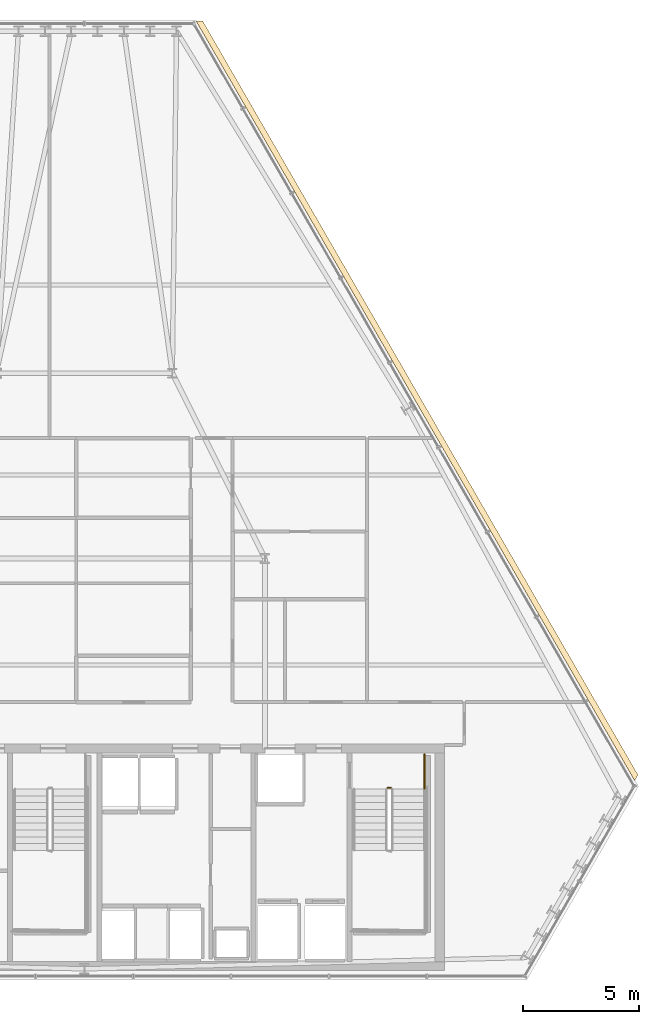
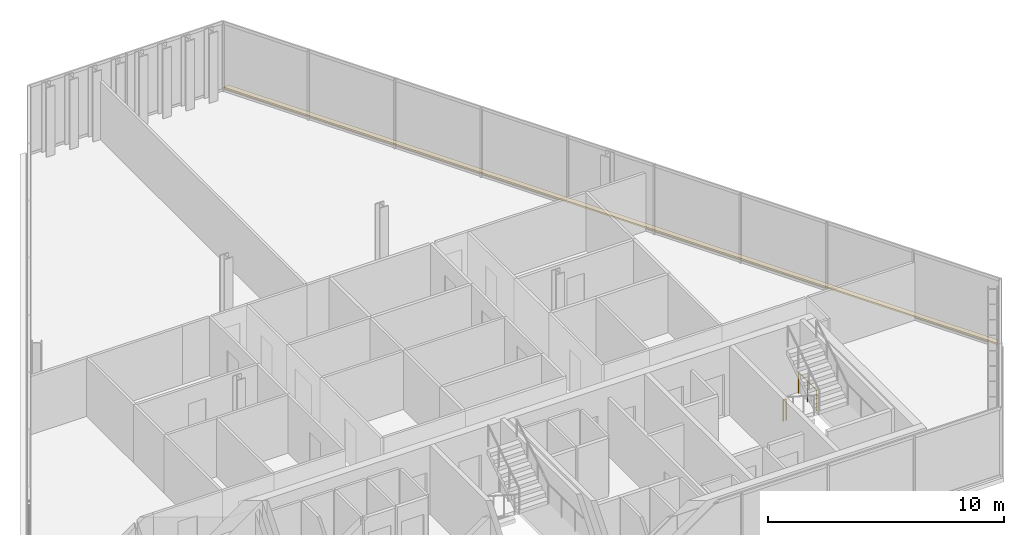
# One storey, part 33 of 33: 2 railings, 1 covering.
"""IFC4 building model written with IfcOpenShell, lengths in metres."""

import ifcopenshell
import ifcopenshell.guid

model = None  # the IFC model being written
_history = None  # IfcOwnerHistory: only IFC2X3 demands one
_inside = {}  # id of a spatial element -> (the spatial element, [elements in it])
_under = {}  # id of a project, library or spatial element -> (it, [spatial elements below it])
_declared = {}  # id of a project -> (the project, [libraries it declares])
_typed = {}  # id of a type object -> (the type object, [elements of that type])
_made_of = {}  # id of a material, layer set ... -> (it, [elements and type objects made of it])


def new_model(schema):
    """Start an empty IFC model of exactly this schema.

    Asked for "IFC4X3", IfcOpenShell would pick the latest addendum, in which some entities
    have other attributes; the version numbers below select the first issue.
    IFC2X3 requires an IfcOwnerHistory on every rooted entity: one is made here for all.
    """
    global model, _history
    if schema == "IFC4X3":
        model = ifcopenshell.file(schema_version=(4, 3, 0, 0))
    else:
        model = ifcopenshell.file(schema=schema)
    _inside.clear()
    _under.clear()
    _declared.clear()
    _typed.clear()
    _made_of.clear()
    _history = None
    if model.schema == "IFC2X3":
        org = make("IfcOrganization", Name="unknown")
        user = make(
            "IfcPersonAndOrganization",
            ThePerson=make("IfcPerson", FamilyName="unknown"),
            TheOrganization=org,
        )
        app = make(
            "IfcApplication",
            ApplicationDeveloper=org,
            Version="unknown",
            ApplicationFullName="unknown",
            ApplicationIdentifier="unknown",
        )
        _history = make(
            "IfcOwnerHistory",
            OwningUser=user,
            OwningApplication=app,
            ChangeAction="ADDED",
            CreationDate=0,
        )
    return model


def make(cls, **values):
    """One entity of the class cls with the attributes given. An attribute that is None is left unset."""
    return model.create_entity(
        cls, **{name: value for name, value in values.items() if value is not None}
    )


def rooted(cls, **values):
    """An entity with a GlobalId (a new one), such as an element, a storey or a relation."""
    return make(cls, GlobalId=ifcopenshell.guid.new(), OwnerHistory=_history, **values)


def si_unit(unit_type, name, prefix=None):
    """IfcSIUnit, for example si_unit("LENGTHUNIT", "METRE", prefix="MILLI")."""
    return make("IfcSIUnit", UnitType=unit_type, Prefix=prefix, Name=name)


def assignment(units):
    """IfcUnitAssignment: the units of a project."""
    return None if units is None else make("IfcUnitAssignment", Units=units)


def point(xyz):
    """IfcCartesianPoint."""
    return None if xyz is None else make("IfcCartesianPoint", Coordinates=xyz)


def direction(xyz):
    """IfcDirection."""
    return None if xyz is None else make("IfcDirection", DirectionRatios=xyz)


def frame(location, z_axis=None, x_axis=None):
    """IfcAxis2Placement3D, a coordinate frame: its origin and axes. An axis left out is left unset."""
    return make(
        "IfcAxis2Placement3D",
        Location=point(location),
        Axis=direction(z_axis),
        RefDirection=direction(x_axis),
    )


def frame_2d(location, x_axis=None):
    """IfcAxis2Placement2D, a coordinate frame in the plane: its origin and x axis."""
    return make(
        "IfcAxis2Placement2D", Location=point(location), RefDirection=direction(x_axis)
    )


def origin():
    """The frame at (0, 0, 0) with its axes left unset."""
    return frame((0.0, 0.0, 0.0))


def origin_2d():
    """The frame at (0, 0) in the plane with its x axis left unset."""
    return frame_2d((0.0, 0.0))


def place(relative_to, where):
    """IfcLocalPlacement: puts the frame where relative to a parent placement (None: the world)."""
    return make(
        "IfcLocalPlacement", PlacementRelTo=relative_to, RelativePlacement=where
    )


def context(
    kind, dimensions, precision=None, world=None, true_north=None, identifier=None
):
    """IfcGeometricRepresentationContext, for example the 3D "Model" context."""
    return make(
        "IfcGeometricRepresentationContext",
        ContextIdentifier=identifier,
        ContextType=kind,
        CoordinateSpaceDimension=dimensions,
        Precision=precision,
        WorldCoordinateSystem=world,
        TrueNorth=true_north,
    )


def subcontext(parent, identifier, kind, view, scale=None):
    """IfcGeometricRepresentationSubContext, for example "Body" below "Model"."""
    return make(
        "IfcGeometricRepresentationSubContext",
        ContextIdentifier=identifier,
        ContextType=kind,
        ParentContext=parent,
        TargetScale=scale,
        TargetView=view,
    )


def project(units=None, contexts=None):
    """IfcProject with its units and contexts."""
    return rooted(
        "IfcProject",
        Name="project",
        RepresentationContexts=contexts,
        UnitsInContext=assignment(units),
    )


def spatial(cls, under=None, at=None, **own):
    """A site, building, storey or space (cls), placed at a placement, below another one or the project."""
    s = rooted(cls, ObjectPlacement=at, **own)
    if under is not None:
        _under.setdefault(under.id(), (under, []))[1].append(s)
    return s


def polyline(points):
    """IfcPolyline through the points."""
    return make("IfcPolyline", Points=[point(p) for p in points])


def profile(cls, at=None, kind="AREA", **sizes):
    """A parametric profile (cls). Its sizes go by their IFC names, for example OverallWidth=200.0."""
    return make(cls, ProfileType=kind, Position=at, **sizes)


def circle(**sizes):
    """IfcCircleProfileDef."""
    return profile("IfcCircleProfileDef", **sizes)


def outline(outer, holes=None, kind="AREA"):
    """IfcArbitraryClosedProfileDef: a profile drawn as a closed curve; with holes, ...WithVoids."""
    if holes is None:
        return make("IfcArbitraryClosedProfileDef", ProfileType=kind, OuterCurve=outer)
    return make(
        "IfcArbitraryProfileDefWithVoids",
        ProfileType=kind,
        OuterCurve=outer,
        InnerCurves=holes,
    )


def extrude(swept, where, along, depth):
    """IfcExtrudedAreaSolid: the profile swept, set in the frame where, extruded along a direction by depth."""
    return make(
        "IfcExtrudedAreaSolid",
        SweptArea=swept,
        Position=where,
        ExtrudedDirection=direction(along),
        Depth=depth,
    )


def shape(context_of_items, identifier, shape_type, items):
    """IfcShapeRepresentation: the items that make up one representation, for example the "Body"."""
    return make(
        "IfcShapeRepresentation",
        ContextOfItems=context_of_items,
        RepresentationIdentifier=identifier,
        RepresentationType=shape_type,
        Items=items,
    )


def material(Name=None, Category=None):
    """IfcMaterial."""
    return make("IfcMaterial", Name=Name, Category=Category)


def layer(
    of_material, thickness, ventilated=None, Name=None, Category=None, Priority=None
):
    """IfcMaterialLayer: one layer of a wall or slab, of a material (None: an air gap)."""
    return make(
        "IfcMaterialLayer",
        Material=of_material,
        LayerThickness=thickness,
        IsVentilated=ventilated,
        Name=Name,
        Category=Category,
        Priority=Priority,
    )


def layer_set(layers, Name=None):
    """IfcMaterialLayerSet."""
    return make("IfcMaterialLayerSet", MaterialLayers=layers, LayerSetName=Name)


def made_of(thing, what):
    """Note that an element or type object is made of a material, layer set ...; save() writes the relation."""
    if what is not None:
        _made_of.setdefault(what.id(), (what, []))[1].append(thing)
    return thing


def type_object(cls, material=None, **own):
    """A type object (cls), such as IfcWallType, which elements share."""
    return made_of(rooted(cls, **own), material)


def element(
    cls,
    number,
    at=None,
    inside=None,
    cuts=None,
    type_object=None,
    material=None,
    context=None,
    identifier="Body",
    shape_type=None,
    held_by="IfcProductDefinitionShape",
    body=None,
    shapes=None,
    **own,
):
    """One element of the class cls, such as IfcWall. Its Tag is "e" and its number.

    at: its placement. inside: the storey or other place that contains it. cuts: it is an
    opening in that element (IfcRelVoidsElement). A single representation is given by context,
    identifier, shape_type and body (its items); several are given by shapes. held_by: the class
    of the entity that holds the representations. save() writes the other relations.
    """
    e = rooted(cls, Tag="e%d" % number, ObjectPlacement=at, **own)
    if body is not None:
        shapes = [shape(context, identifier, shape_type, body)]
    if shapes is not None:
        e.Representation = make(held_by, Representations=shapes)
    if inside is not None:
        _inside.setdefault(inside.id(), (inside, []))[1].append(e)
    if cuts is not None:
        rooted(
            "IfcRelVoidsElement", RelatingBuildingElement=cuts, RelatedOpeningElement=e
        )
    if type_object is not None:
        _typed.setdefault(type_object.id(), (type_object, []))[1].append(e)
    return made_of(e, material)


def aggregate(whole, parts):
    """IfcRelAggregates: a whole, such as a stair, and the parts it consists of."""
    return rooted("IfcRelAggregates", RelatingObject=whole, RelatedObjects=parts)


def save(model, path):
    """Write the relations noted so far, then the file.

    IfcRelAggregates (storeys below a building ...), IfcRelContainedInSpatialStructure (elements
    in a storey), IfcRelDefinesByType, IfcRelAssociatesMaterial and IfcRelDeclares: one each for
    every whole, place, type object, material and project.
    """
    for whole, parts in _under.values():
        aggregate(whole, parts)
    for where, things in _inside.values():
        rooted(
            "IfcRelContainedInSpatialStructure",
            RelatedElements=things,
            RelatingStructure=where,
        )
    for kind, things in _typed.values():
        rooted("IfcRelDefinesByType", RelatedObjects=things, RelatingType=kind)
    for what, things in _made_of.values():
        rooted("IfcRelAssociatesMaterial", RelatedObjects=things, RelatingMaterial=what)
    for by, libraries in _declared.values():
        rooted("IfcRelDeclares", RelatingContext=by, RelatedDefinitions=libraries)
    model.write(path)


model = new_model("IFC4")

# Units and contexts
model_context = context("Model", 3, precision=1e-05, world=origin(), true_north=direction((0.0, 1.0)))
body_context = subcontext(model_context, "Body", "Model", "MODEL_VIEW")
ifc_project = project(units=[si_unit("LENGTHUNIT", "METRE"), si_unit("AREAUNIT", "SQUARE_METRE"), si_unit("VOLUMEUNIT", "CUBIC_METRE"), si_unit("PLANEANGLEUNIT", "RADIAN"), si_unit("MASSUNIT", "GRAM", prefix="KILO")], contexts=[model_context])

# Site, building, storey
site_placement = place(None, origin())
site = spatial("IfcSite", under=ifc_project, at=site_placement, CompositionType="ELEMENT")
building_placement = place(site_placement, origin())
building = spatial("IfcBuilding", under=site, at=building_placement, Name="Ndaravel Arena Tower", CompositionType="ELEMENT")
storey_placement = place(building_placement, frame((0.0, 0.0, 184.0)))
storey = spatial("IfcBuildingStorey", under=building, at=storey_placement, Name="L44", CompositionType="ELEMENT", Elevation=184.0)

# Covering
ifc_material_1 = material(Name="Roofing Membrane", Category="finish")
ifc_layer_1 = layer(ifc_material_1, 0.080078125)
ifc_layer_set_1 = layer_set([ifc_layer_1], Name="Roofing Membrane")
covering_type = type_object("IfcCoveringType", Name="COV-ROOF-MEMB", PredefinedType="ROOFING", material=ifc_layer_set_1)
covering_placement = place(storey_placement, origin())
element("IfcCovering", 1, at=covering_placement, inside=storey, type_object=covering_type, Name="L44 Facet Setback Weathering Flashing", PredefinedType="ROOFING", context=body_context, shape_type="SweptSolid", body=[
    extrude(outline(polyline([(47.111083984375, 46.408203125), (65.906982421875, 13.852783203125), (65.765869140625, 13.6083984375), (46.828857421875, 46.408203125), (47.111083984375, 46.408203125)])), origin(), (0.0, 0.0, 1.0), 0.080078125),
])

# Railings
ifc_material_2 = material(Name="Steel S355", Category="steel")
ifc_layer_2 = layer(ifc_material_2, 0.06005859375)
ifc_layer_set_2 = layer_set([ifc_layer_2], Name="Steel S355")
railing_type = type_object("IfcRailingType", Name="RAIL-STAIR-GD1100", PredefinedType="GUARDRAIL", material=ifc_layer_set_2)
railing_1_placement = place(storey_placement, frame((55.10009765625, 13.300048828125, 0.0)))
element("IfcRailing", 2, at=railing_1_placement, inside=storey, type_object=railing_type, Name="L44 ST-3 stair guard 4", PredefinedType="GUARDRAIL", context=body_context, shape_type="SweptSolid", body=[
    extrude(circle(Radius=0.02392578125, at=origin_2d()), frame((0.0, 0.0, 1.076171875), z_axis=(1.0, 0.0, 0.0), x_axis=(0.0, 1.0, 0.0)), (0.0, 0.0, 1.0), 0.139892578125),
    extrude(circle(Radius=0.02099609375, at=origin_2d()), origin(), (0.0, 0.0, 1.0), 1.052001953125),
    extrude(circle(Radius=0.02099609375, at=origin_2d()), frame((0.139892578125, 0.0, 0.0)), (0.0, 0.0, 1.0), 1.052001953125),
])
railing_2_placement = place(storey_placement, frame((56.68994140625, 14.75, 0.0)))
element("IfcRailing", 3, at=railing_2_placement, inside=storey, type_object=railing_type, Name="L44 ST-3 stair guard 5", PredefinedType="GUARDRAIL", context=body_context, shape_type="SweptSolid", body=[
    extrude(circle(Radius=0.02392578125, at=origin_2d()), frame((0.0, 0.0, 1.076171875), z_axis=(0.0, -1.0, 0.0), x_axis=(1.0, 0.0, 0.0)), (0.0, 0.0, 1.0), 1.5),
    extrude(circle(Radius=0.02099609375, at=origin_2d()), origin(), (0.0, 0.0, 1.0), 1.052001953125),
    extrude(circle(Radius=0.02099609375, at=origin_2d()), frame((0.0, -0.75, 0.0)), (0.0, 0.0, 1.0), 1.052001953125),
    extrude(circle(Radius=0.02099609375, at=origin_2d()), frame((0.0, -1.5, 0.0)), (0.0, 0.0, 1.0), 1.052001953125),
])

save(model, "model.ifc")
